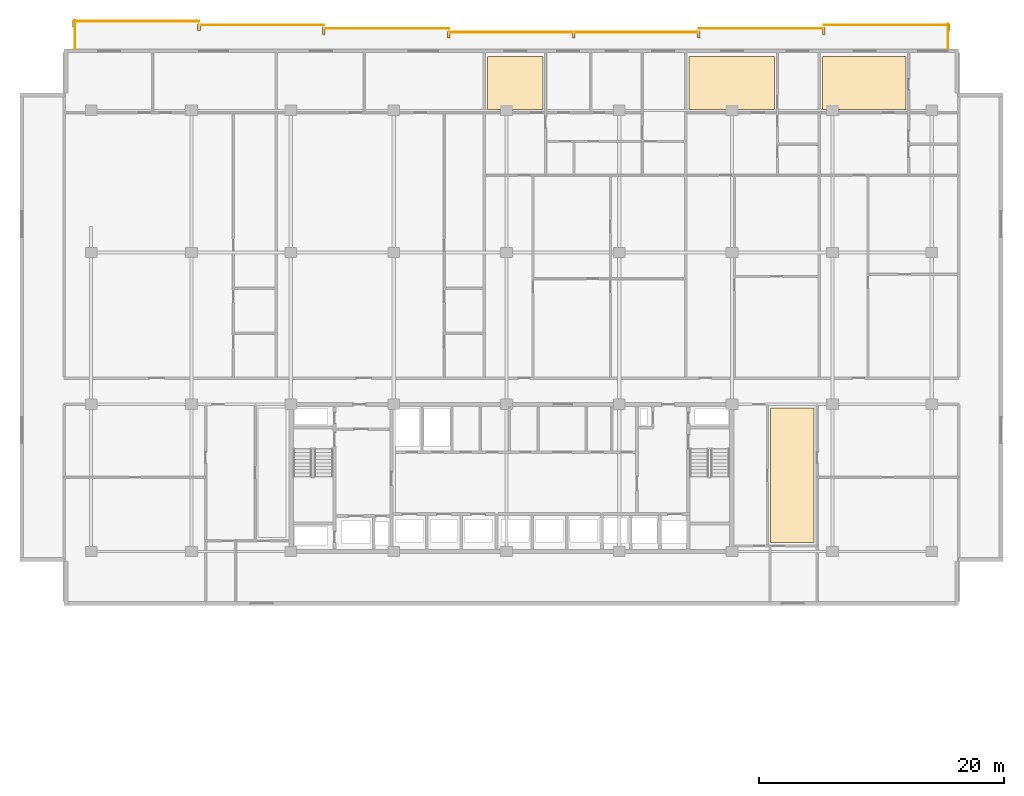
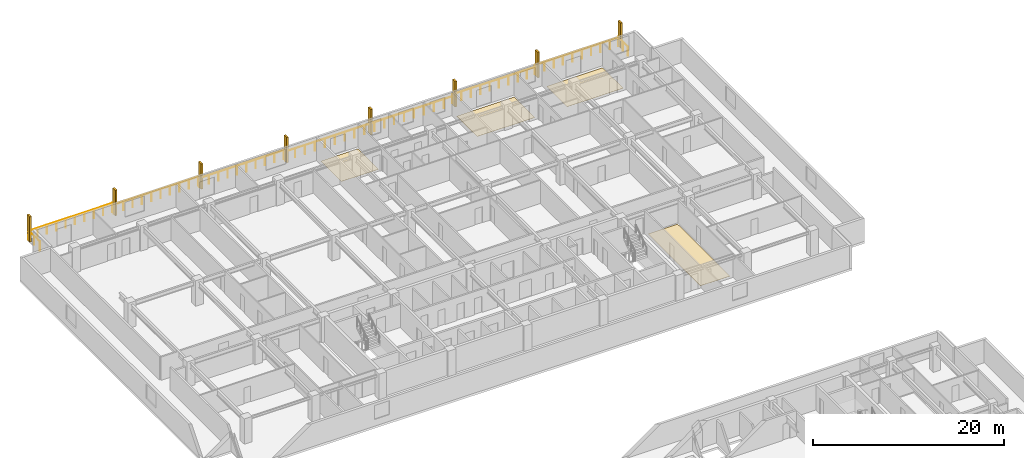
# One storey, part 22 of 22: 8 railings, 8 shading devices, 4 coverings.
"""IFC4 building model written with IfcOpenShell, lengths in metres."""

from ifc_helpers import new_model, si_unit, direction, frame, origin, origin_2d, place, context, subcontext, project, spatial, polyline, rectangle, circle, outline, extrude, material, layer, layer_set, type_object, element, save


model = new_model("IFC4")

# Units and contexts
model_context = context("Model", 3, precision=1e-05, world=origin(), true_north=direction((0.0, 1.0)))
body_context = subcontext(model_context, "Body", "Model", "MODEL_VIEW")
ifc_project = project(units=[si_unit("LENGTHUNIT", "METRE"), si_unit("AREAUNIT", "SQUARE_METRE"), si_unit("VOLUMEUNIT", "CUBIC_METRE"), si_unit("PLANEANGLEUNIT", "RADIAN"), si_unit("MASSUNIT", "GRAM", prefix="KILO")], contexts=[model_context])

# Site, building, storey
site_placement = place(None, origin())
site = spatial("IfcSite", under=ifc_project, at=site_placement, CompositionType="ELEMENT")
building_placement = place(site_placement, origin())
building = spatial("IfcBuilding", under=site, at=building_placement, Name="Korimba Cascade Residences", CompositionType="ELEMENT")
storey_placement = place(building_placement, frame((0.0, 0.0, 90.550048828125)))
storey = spatial("IfcBuildingStorey", under=building, at=storey_placement, Name="L25", CompositionType="ELEMENT", Elevation=90.550048828125)

# Coverings
ifc_material_1 = material(Name="Engineered Spotted-Gum Timber Flooring", Category="wood")
ifc_layer = layer(ifc_material_1, 0.02001953125)
ifc_layer_set = layer_set([ifc_layer], Name="Engineered Spotted-Gum Timber Flooring")
covering_type = type_object("IfcCoveringType", Name="COV-FLR-TIM", PredefinedType="FLOORING", material=ifc_layer_set)
covering_1_placement = place(storey_placement, origin())
element("IfcCovering", 1, at=covering_1_placement, inside=storey, type_object=covering_type, Name="L25 Spotted-Gum Timber Flooring L25-T1-FE-L", PredefinedType="FLOORING", context=body_context, shape_type="SweptSolid", body=[
    extrude(outline(polyline([(115.22998046875, 55.919921875), (118.800048828125, 55.919921875), (118.800048828125, 66.89990234375), (115.22998046875, 66.89990234375), (115.22998046875, 55.919921875)])), origin(), (0.0, 0.0, 1.0), 0.02001953125),
])
covering_2_placement = place(storey_placement, origin())
element("IfcCovering", 2, at=covering_2_placement, inside=storey, type_object=covering_type, Name="L25 Spotted-Gum Timber Flooring L25-T1-U03-L", PredefinedType="FLOORING", context=body_context, shape_type="SweptSolid", body=[
    extrude(outline(polyline([(92.162841796875, 91.27001953125), (96.662841796875, 91.27001953125), (96.662841796875, 95.580078125), (92.162841796875, 95.580078125), (92.162841796875, 91.27001953125)])), origin(), (0.0, 0.0, 1.0), 0.02001953125),
])
covering_3_placement = place(storey_placement, origin())
element("IfcCovering", 3, at=covering_3_placement, inside=storey, type_object=covering_type, Name="L25 Spotted-Gum Timber Flooring L25-T1-U04-L", PredefinedType="FLOORING", context=body_context, shape_type="SweptSolid", body=[
    extrude(outline(polyline([(108.605712890625, 91.27001953125), (115.58349609375, 91.27001953125), (115.58349609375, 95.580078125), (108.605712890625, 95.580078125), (108.605712890625, 91.27001953125)])), origin(), (0.0, 0.0, 1.0), 0.02001953125),
])
covering_4_placement = place(storey_placement, origin())
element("IfcCovering", 4, at=covering_4_placement, inside=storey, type_object=covering_type, Name="L25 Spotted-Gum Timber Flooring L25-T1-U05-L", PredefinedType="FLOORING", context=body_context, shape_type="SweptSolid", body=[
    extrude(outline(polyline([(119.50341796875, 91.27001953125), (126.2900390625, 91.27001953125), (126.2900390625, 95.580078125), (119.50341796875, 95.580078125), (119.50341796875, 91.27001953125)])), origin(), (0.0, 0.0, 1.0), 0.02001953125),
])

# Railings
ifc_material_2 = material(Name="Laminated Glass and Bronze Balustrade", Category="glass")
railing_type = type_object("IfcRailingType", Name="RLG-LOG-1150", PredefinedType="BALUSTRADE", material=ifc_material_2)
railing_1_placement = place(storey_placement, frame((129.719970703125, 96.199951171875, 0.0)))
element("IfcRailing", 5, at=railing_1_placement, inside=storey, type_object=railing_type, Name="L25 Perimeter Guardrail RLG-L25-T1-LOG-01", PredefinedType="BALUSTRADE", context=body_context, shape_type="SweptSolid", body=[
    extrude(circle(Radius=0.02392578125, at=origin_2d()), frame((0.0, 0.0, 1.1259765625), z_axis=(0.0, 1.0, 0.0), x_axis=(-1.0, 0.0, 0.0)), (0.0, 0.0, 1.0), 2.050048828125),
    extrude(circle(Radius=0.02099609375, at=origin_2d()), origin(), (0.0, 0.0, 1.0), 1.101806640625),
    extrude(circle(Radius=0.02099609375, at=origin_2d()), frame((0.0, 1.02490234375, 0.0)), (0.0, 0.0, 1.0), 1.101806640625),
    extrude(circle(Radius=0.02099609375, at=origin_2d()), frame((0.0, 2.050048828125, 0.0)), (0.0, 0.0, 1.0), 1.101806640625),
])
railing_2_placement = place(storey_placement, frame((129.800048828125, 98.169921875, 0.0)))
element("IfcRailing", 6, at=railing_2_placement, inside=storey, type_object=railing_type, Name="L25 Perimeter Guardrail RLG-L25-T1-LOG-02", PredefinedType="BALUSTRADE", context=body_context, shape_type="SweptSolid", body=[
    extrude(circle(Radius=0.02392578125, at=origin_2d()), frame((0.0, 0.0, 1.1259765625), z_axis=(-1.0, 0.0, 0.0), x_axis=(0.0, -1.0, 0.0)), (0.0, 0.0, 1.0), 10.199951171875),
    extrude(circle(Radius=0.02099609375, at=origin_2d()), origin(), (0.0, 0.0, 1.0), 1.101806640625),
    extrude(circle(Radius=0.02099609375, at=origin_2d()), frame((-1.13330078125, 0.0, 0.0)), (0.0, 0.0, 1.0), 1.101806640625),
    extrude(circle(Radius=0.02099609375, at=origin_2d()), frame((-2.2666015625, 0.0, 0.0)), (0.0, 0.0, 1.0), 1.101806640625),
    extrude(circle(Radius=0.02099609375, at=origin_2d()), frame((-3.39990234375, 0.0, 0.0)), (0.0, 0.0, 1.0), 1.101806640625),
    extrude(circle(Radius=0.02099609375, at=origin_2d()), frame((-4.533203125, 0.0, 0.0)), (0.0, 0.0, 1.0), 1.101806640625),
    extrude(circle(Radius=0.02099609375, at=origin_2d()), frame((-5.666748046875, 0.0, 0.0)), (0.0, 0.0, 1.0), 1.101806640625),
    extrude(circle(Radius=0.02099609375, at=origin_2d()), frame((-6.800048828125, 0.0, 0.0)), (0.0, 0.0, 1.0), 1.101806640625),
    extrude(circle(Radius=0.02099609375, at=origin_2d()), frame((-7.933349609375, 0.0, 0.0)), (0.0, 0.0, 1.0), 1.101806640625),
    extrude(circle(Radius=0.02099609375, at=origin_2d()), frame((-9.066650390625, 0.0, 0.0)), (0.0, 0.0, 1.0), 1.101806640625),
    extrude(circle(Radius=0.02099609375, at=origin_2d()), frame((-10.199951171875, 0.0, 0.0)), (0.0, 0.0, 1.0), 1.101806640625),
])
railing_3_placement = place(storey_placement, frame((119.60009765625, 97.8701171875, 0.0)))
element("IfcRailing", 7, at=railing_3_placement, inside=storey, type_object=railing_type, Name="L25 Perimeter Guardrail RLG-L25-T1-LOG-03", PredefinedType="BALUSTRADE", context=body_context, shape_type="SweptSolid", body=[
    extrude(circle(Radius=0.02392578125, at=origin_2d()), frame((0.0, 0.0, 1.1259765625), z_axis=(-1.0, 0.0, 0.0), x_axis=(0.0, -1.0, 0.0)), (0.0, 0.0, 1.0), 10.2001953125),
    extrude(circle(Radius=0.02099609375, at=origin_2d()), origin(), (0.0, 0.0, 1.0), 1.101806640625),
    extrude(circle(Radius=0.02099609375, at=origin_2d()), frame((-1.13330078125, 0.0, 0.0)), (0.0, 0.0, 1.0), 1.101806640625),
    extrude(circle(Radius=0.02099609375, at=origin_2d()), frame((-2.2666015625, 0.0, 0.0)), (0.0, 0.0, 1.0), 1.101806640625),
    extrude(circle(Radius=0.02099609375, at=origin_2d()), frame((-3.400146484375, 0.0, 0.0)), (0.0, 0.0, 1.0), 1.101806640625),
    extrude(circle(Radius=0.02099609375, at=origin_2d()), frame((-4.533447265625, 0.0, 0.0)), (0.0, 0.0, 1.0), 1.101806640625),
    extrude(circle(Radius=0.02099609375, at=origin_2d()), frame((-5.666748046875, 0.0, 0.0)), (0.0, 0.0, 1.0), 1.101806640625),
    extrude(circle(Radius=0.02099609375, at=origin_2d()), frame((-6.800048828125, 0.0, 0.0)), (0.0, 0.0, 1.0), 1.101806640625),
    extrude(circle(Radius=0.02099609375, at=origin_2d()), frame((-7.93359375, 0.0, 0.0)), (0.0, 0.0, 1.0), 1.101806640625),
    extrude(circle(Radius=0.02099609375, at=origin_2d()), frame((-9.06689453125, 0.0, 0.0)), (0.0, 0.0, 1.0), 1.101806640625),
    extrude(circle(Radius=0.02099609375, at=origin_2d()), frame((-10.2001953125, 0.0, 0.0)), (0.0, 0.0, 1.0), 1.101806640625),
])
railing_4_placement = place(storey_placement, frame((109.39990234375, 97.570068359375, 0.0)))
element("IfcRailing", 8, at=railing_4_placement, inside=storey, type_object=railing_type, Name="L25 Perimeter Guardrail RLG-L25-T1-LOG-04", PredefinedType="BALUSTRADE", context=body_context, shape_type="SweptSolid", body=[
    extrude(circle(Radius=0.02392578125, at=origin_2d()), frame((0.0, 0.0, 1.1259765625), z_axis=(-1.0, 0.0, 0.0), x_axis=(0.0, -1.0, 0.0)), (0.0, 0.0, 1.0), 20.39990234375),
    extrude(circle(Radius=0.02099609375, at=origin_2d()), origin(), (0.0, 0.0, 1.0), 1.101806640625),
    extrude(circle(Radius=0.02099609375, at=origin_2d()), frame((-1.199951171875, 0.0, 0.0)), (0.0, 0.0, 1.0), 1.101806640625),
    extrude(circle(Radius=0.02099609375, at=origin_2d()), frame((-2.39990234375, 0.0, 0.0)), (0.0, 0.0, 1.0), 1.101806640625),
    extrude(circle(Radius=0.02099609375, at=origin_2d()), frame((-3.60009765625, 0.0, 0.0)), (0.0, 0.0, 1.0), 1.101806640625),
    extrude(circle(Radius=0.02099609375, at=origin_2d()), frame((-4.800048828125, 0.0, 0.0)), (0.0, 0.0, 1.0), 1.101806640625),
    extrude(circle(Radius=0.02099609375, at=origin_2d()), frame((-6.0, 0.0, 0.0)), (0.0, 0.0, 1.0), 1.101806640625),
    extrude(circle(Radius=0.02099609375, at=origin_2d()), frame((-7.199951171875, 0.0, 0.0)), (0.0, 0.0, 1.0), 1.101806640625),
    extrude(circle(Radius=0.02099609375, at=origin_2d()), frame((-8.39990234375, 0.0, 0.0)), (0.0, 0.0, 1.0), 1.101806640625),
    extrude(circle(Radius=0.02099609375, at=origin_2d()), frame((-9.599853515625, 0.0, 0.0)), (0.0, 0.0, 1.0), 1.101806640625),
    extrude(circle(Radius=0.02099609375, at=origin_2d()), frame((-10.800048828125, 0.0, 0.0)), (0.0, 0.0, 1.0), 1.101806640625),
    extrude(circle(Radius=0.02099609375, at=origin_2d()), frame((-12.0, 0.0, 0.0)), (0.0, 0.0, 1.0), 1.101806640625),
    extrude(circle(Radius=0.02099609375, at=origin_2d()), frame((-13.199951171875, 0.0, 0.0)), (0.0, 0.0, 1.0), 1.101806640625),
    extrude(circle(Radius=0.02099609375, at=origin_2d()), frame((-14.39990234375, 0.0, 0.0)), (0.0, 0.0, 1.0), 1.101806640625),
    extrude(circle(Radius=0.02099609375, at=origin_2d()), frame((-15.599853515625, 0.0, 0.0)), (0.0, 0.0, 1.0), 1.101806640625),
    extrude(circle(Radius=0.02099609375, at=origin_2d()), frame((-16.7998046875, 0.0, 0.0)), (0.0, 0.0, 1.0), 1.101806640625),
    extrude(circle(Radius=0.02099609375, at=origin_2d()), frame((-18.0, 0.0, 0.0)), (0.0, 0.0, 1.0), 1.101806640625),
    extrude(circle(Radius=0.02099609375, at=origin_2d()), frame((-19.199951171875, 0.0, 0.0)), (0.0, 0.0, 1.0), 1.101806640625),
    extrude(circle(Radius=0.02099609375, at=origin_2d()), frame((-20.39990234375, 0.0, 0.0)), (0.0, 0.0, 1.0), 1.101806640625),
])
for number, where, name in (
    (9, (89.0, 97.8701171875, 0.0), "L25 Perimeter Guardrail RLG-L25-T1-LOG-05"),
    (10, (78.800048828125, 98.169921875, 0.0), "L25 Perimeter Guardrail RLG-L25-T1-LOG-06"),
):
    element("IfcRailing", number, at=place(storey_placement, frame(where)), inside=storey, type_object=railing_type, Name=name, PredefinedType="BALUSTRADE", context=body_context, shape_type="SweptSolid", body=[
        extrude(circle(Radius=0.02392578125, at=origin_2d()), frame((0.0, 0.0, 1.1259765625), z_axis=(-1.0, 0.0, 0.0), x_axis=(0.0, -1.0, 0.0)), (0.0, 0.0, 1.0), 10.199951171875),
        extrude(circle(Radius=0.02099609375, at=origin_2d()), origin(), (0.0, 0.0, 1.0), 1.101806640625),
        extrude(circle(Radius=0.02099609375, at=origin_2d()), frame((-1.13330078125, 0.0, 0.0)), (0.0, 0.0, 1.0), 1.101806640625),
        extrude(circle(Radius=0.02099609375, at=origin_2d()), frame((-2.2666015625, 0.0, 0.0)), (0.0, 0.0, 1.0), 1.101806640625),
        extrude(circle(Radius=0.02099609375, at=origin_2d()), frame((-3.39990234375, 0.0, 0.0)), (0.0, 0.0, 1.0), 1.101806640625),
        extrude(circle(Radius=0.02099609375, at=origin_2d()), frame((-4.533203125, 0.0, 0.0)), (0.0, 0.0, 1.0), 1.101806640625),
        extrude(circle(Radius=0.02099609375, at=origin_2d()), frame((-5.666748046875, 0.0, 0.0)), (0.0, 0.0, 1.0), 1.101806640625),
        extrude(circle(Radius=0.02099609375, at=origin_2d()), frame((-6.800048828125, 0.0, 0.0)), (0.0, 0.0, 1.0), 1.101806640625),
        extrude(circle(Radius=0.02099609375, at=origin_2d()), frame((-7.933349609375, 0.0, 0.0)), (0.0, 0.0, 1.0), 1.101806640625),
        extrude(circle(Radius=0.02099609375, at=origin_2d()), frame((-9.066650390625, 0.0, 0.0)), (0.0, 0.0, 1.0), 1.101806640625),
        extrude(circle(Radius=0.02099609375, at=origin_2d()), frame((-10.199951171875, 0.0, 0.0)), (0.0, 0.0, 1.0), 1.101806640625),
    ])
railing_5_placement = place(storey_placement, frame((68.60009765625, 98.469970703125, 0.0)))
element("IfcRailing", 11, at=railing_5_placement, inside=storey, type_object=railing_type, Name="L25 Perimeter Guardrail RLG-L25-T1-LOG-07", PredefinedType="BALUSTRADE", context=body_context, shape_type="SweptSolid", body=[
    extrude(circle(Radius=0.02392578125, at=origin_2d()), frame((0.0, 0.0, 1.1259765625), z_axis=(-1.0, 0.0, 0.0), x_axis=(0.0, -1.0, 0.0)), (0.0, 0.0, 1.0), 10.2001953125),
    extrude(circle(Radius=0.02099609375, at=origin_2d()), origin(), (0.0, 0.0, 1.0), 1.101806640625),
    extrude(circle(Radius=0.02099609375, at=origin_2d()), frame((-1.13330078125, 0.0, 0.0)), (0.0, 0.0, 1.0), 1.101806640625),
    extrude(circle(Radius=0.02099609375, at=origin_2d()), frame((-2.2666015625, 0.0, 0.0)), (0.0, 0.0, 1.0), 1.101806640625),
    extrude(circle(Radius=0.02099609375, at=origin_2d()), frame((-3.400146484375, 0.0, 0.0)), (0.0, 0.0, 1.0), 1.101806640625),
    extrude(circle(Radius=0.02099609375, at=origin_2d()), frame((-4.533447265625, 0.0, 0.0)), (0.0, 0.0, 1.0), 1.101806640625),
    extrude(circle(Radius=0.02099609375, at=origin_2d()), frame((-5.666748046875, 0.0, 0.0)), (0.0, 0.0, 1.0), 1.101806640625),
    extrude(circle(Radius=0.02099609375, at=origin_2d()), frame((-6.800048828125, 0.0, 0.0)), (0.0, 0.0, 1.0), 1.101806640625),
    extrude(circle(Radius=0.02099609375, at=origin_2d()), frame((-7.93359375, 0.0, 0.0)), (0.0, 0.0, 1.0), 1.101806640625),
    extrude(circle(Radius=0.02099609375, at=origin_2d()), frame((-9.06689453125, 0.0, 0.0)), (0.0, 0.0, 1.0), 1.101806640625),
    extrude(circle(Radius=0.02099609375, at=origin_2d()), frame((-10.2001953125, 0.0, 0.0)), (0.0, 0.0, 1.0), 1.101806640625),
])
railing_6_placement = place(storey_placement, frame((58.47998046875, 98.550048828125, 0.0)))
element("IfcRailing", 12, at=railing_6_placement, inside=storey, type_object=railing_type, Name="L25 Perimeter Guardrail RLG-L25-T1-LOG-08", PredefinedType="BALUSTRADE", context=body_context, shape_type="SweptSolid", body=[
    extrude(circle(Radius=0.02392578125, at=origin_2d()), frame((0.0, 0.0, 1.1259765625), z_axis=(0.0, -1.0, 0.0), x_axis=(1.0, 0.0, 0.0)), (0.0, 0.0, 1.0), 2.35009765625),
    extrude(circle(Radius=0.02099609375, at=origin_2d()), origin(), (0.0, 0.0, 1.0), 1.101806640625),
    extrude(circle(Radius=0.02099609375, at=origin_2d()), frame((0.0, -1.175048828125, 0.0)), (0.0, 0.0, 1.0), 1.101806640625),
    extrude(circle(Radius=0.02099609375, at=origin_2d()), frame((0.0, -2.35009765625, 0.0)), (0.0, 0.0, 1.0), 1.101806640625),
])

# Shading devices
ifc_material_3 = material(Name="Honed Sandstone Precast Fin", Category="masonry")
shading_device_type = type_object("IfcShadingDeviceType", Name="SHD-FIN-550", PredefinedType="USERDEFINED", material=ifc_material_3)
for number, where, z_axis, x_axis, name in (
    (13, (58.39990234375, 98.27490234375, 0.0), (0.0, 0.0, 1.0), (1.0, 0.0, 0.0), "L25 T1 Warm-Stone Loggia Fin 1"),
    (14, (68.60009765625, 97.97509765625, 0.0), (0.0, 0.0, 1.0), (1.0, 0.0, 0.0), "L25 T1 Warm-Stone Loggia Fin 2"),
    (15, (78.800048828125, 97.675048828125, 0.0), (0.0, 0.0, 1.0), (1.0, 0.0, 0.0), "L25 T1 Warm-Stone Loggia Fin 3"),
    (16, (89.0, 97.375, 0.0), (0.0, 0.0, 1.0), (1.0, 0.0, 0.0), "L25 T1 Warm-Stone Loggia Fin 4"),
    (17, (99.199951171875, 97.375, 0.0), (0.0, 0.0, 1.0), (1.0, 0.0, 0.0), "L25 T1 Warm-Stone Loggia Fin 5"),
    (18, (109.39990234375, 97.375, 0.0), (0.0, 0.0, 1.0), (1.0, 0.0, 0.0), "L25 T1 Warm-Stone Loggia Fin 6"),
    (19, (119.60009765625, 97.675048828125, 0.0), (0.0, 0.0, 1.0), (1.0, 0.0, 0.0), "L25 T1 Warm-Stone Loggia Fin 7"),
    (20, (129.800048828125, 97.97509765625, 0.0), (0.0, 0.0, 1.0), (1.0, 0.0, 0.0), "L25 T1 Warm-Stone Loggia Fin 8"),
):
    element("IfcShadingDevice", number, at=place(storey_placement, frame(where, z_axis=z_axis, x_axis=x_axis)), inside=storey, type_object=shading_device_type, Name=name, ObjectType="FIN", PredefinedType="USERDEFINED", context=body_context, shape_type="SweptSolid", body=[
        extrude(rectangle(XDim=0.219970703125, YDim=0.550048828125, at=origin_2d()), origin(), (0.0, 0.0, 1.0), 3.25),
    ])

save(model, "model.ifc")
